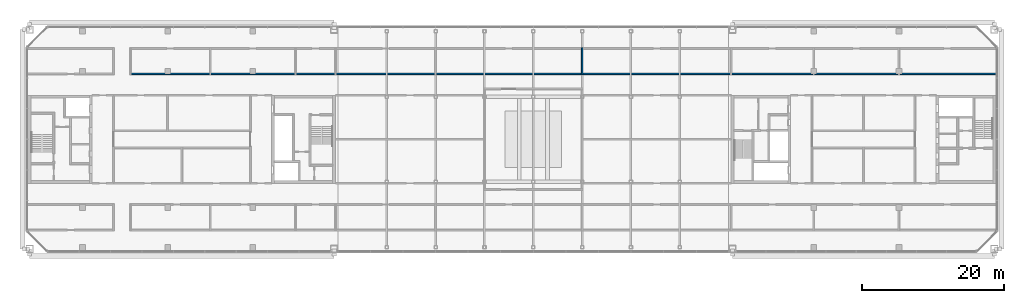
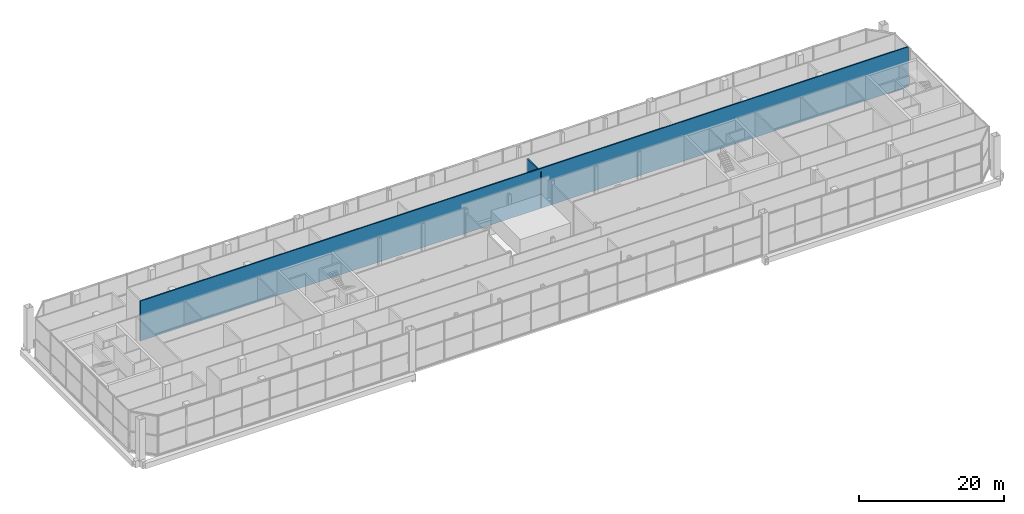
# One storey, part 22 of 27: 2 walls.
"""IFC4 building model written with IfcOpenShell, lengths in metres."""

from ifc_helpers import new_model, si_unit, direction, frame, frame_2d, origin, place, context, subcontext, project, spatial, rectangle, extrude, material, layer, layer_set, type_object, element, save


model = new_model("IFC4")

# Units and contexts
model_context = context("Model", 3, precision=1e-05, world=origin(), true_north=direction((0.0, 1.0)))
body_context = subcontext(model_context, "Body", "Model", "MODEL_VIEW")
ifc_project = project(units=[si_unit("LENGTHUNIT", "METRE"), si_unit("AREAUNIT", "SQUARE_METRE"), si_unit("VOLUMEUNIT", "CUBIC_METRE"), si_unit("PLANEANGLEUNIT", "RADIAN"), si_unit("MASSUNIT", "GRAM", prefix="KILO")], contexts=[model_context])

# Site, building, storey
site_placement = place(None, origin())
site = spatial("IfcSite", under=ifc_project, at=site_placement, CompositionType="ELEMENT")
building_placement = place(site_placement, origin())
building = spatial("IfcBuilding", under=site, at=building_placement, Name="Tuart Gate Housing", CompositionType="ELEMENT")
storey_placement = place(building_placement, frame((0.0, 0.0, 236.89990234375)))
storey = spatial("IfcBuildingStorey", under=building, at=storey_placement, Name="L67", CompositionType="ELEMENT", Elevation=236.89990234375)

# Walls
ifc_material = material(Name="Concrete masonry 15 MPa", Category="masonry")
ifc_layer = layer(ifc_material, 0.199951171875)
ifc_layer_set = layer_set([ifc_layer], Name="Enclosure wall masonry 200")
wall_type = type_object("IfcWallType", Name="Enclosure wall masonry 200", PredefinedType="PARTITIONING", material=ifc_layer_set)
wall_1_placement = place(storey_placement, frame((46.659912109375, 79.199951171875, 0.0), z_axis=(0.0, 0.0, 1.0), x_axis=(1.0, 0.0, 0.0)))
element("IfcWall", 1, at=wall_1_placement, inside=storey, type_object=wall_type, Name="Enclosure wall masonry 200", PredefinedType="PARTITIONING", context=body_context, shape_type="SweptSolid", body=[
    extrude(rectangle(XDim=122.10009765625, YDim=0.199951171875, at=frame_2d((61.050048828125, 0.0))), origin(), (0.0, 0.0, 1.0), 6.7001953125),
])
wall_2_placement = place(storey_placement, frame((110.375, 79.10009765625, 0.0), z_axis=(0.0, 0.0, 1.0), x_axis=(0.0, 1.0, 0.0)))
element("IfcWall", 2, at=wall_2_placement, inside=storey, type_object=wall_type, Name="Enclosure wall masonry 200", PredefinedType="PARTITIONING", context=body_context, shape_type="SweptSolid", body=[
    extrude(rectangle(XDim=3.7998046875, YDim=0.199951171875, at=frame_2d((1.89990234375, 0.0))), origin(), (0.0, 0.0, 1.0), 6.1669921875),
])

save(model, "model.ifc")
